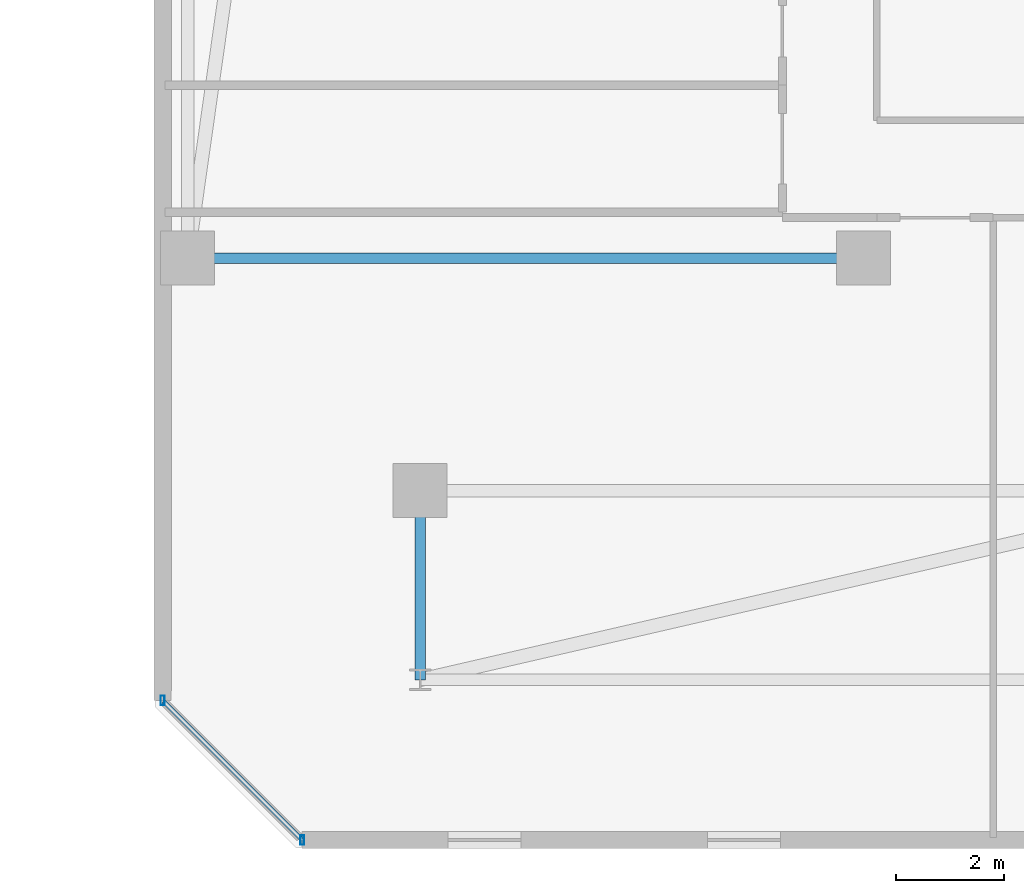
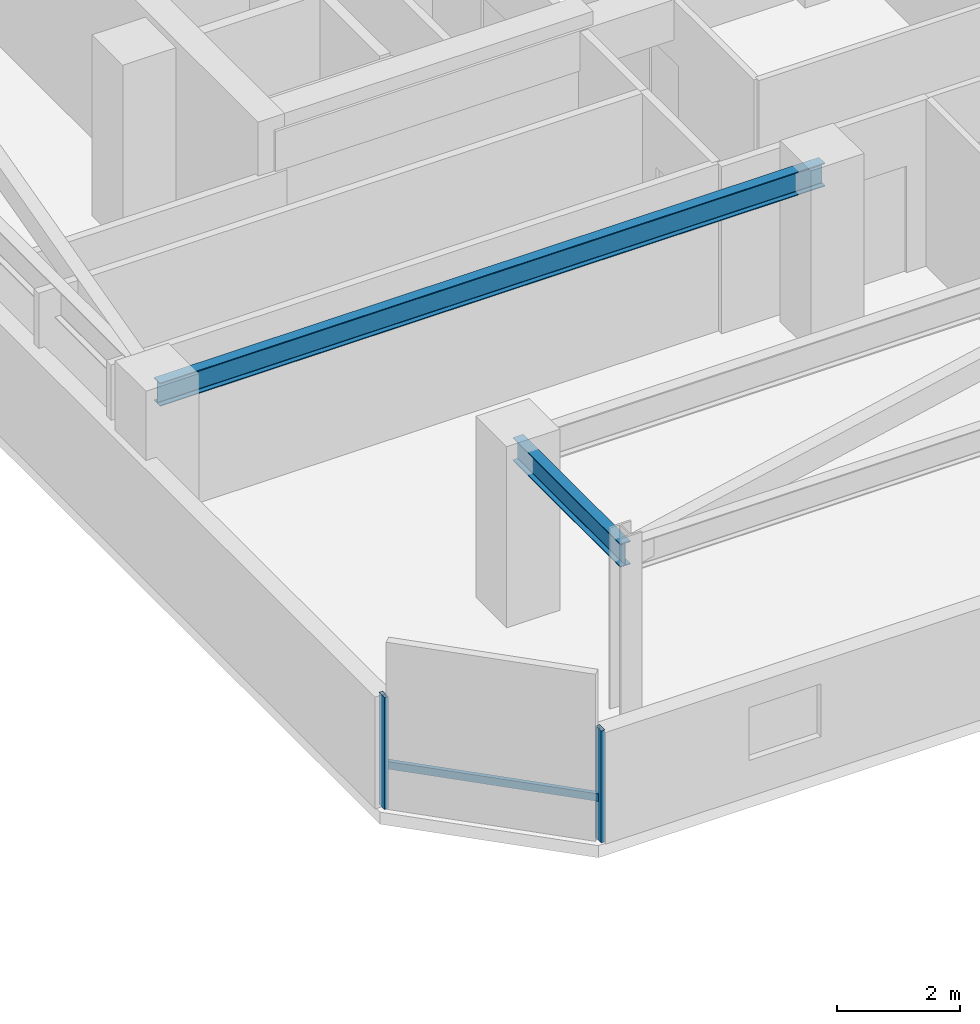
# One storey, part 10 of 34: 3 members, 2 beams, 1 element without a shape of its own.
"""IFC4 building model written with IfcOpenShell, lengths in metres."""

from ifc_helpers import new_model, si_unit, direction, frame, origin, origin_2d, place, context, subcontext, project, spatial, hollow_rectangle, i_section, extrude, material, material_profile, profile_set, type_object, element, aggregate, save


model = new_model("IFC4")

# Units and contexts
model_context = context("Model", 3, precision=1e-05, world=origin(), true_north=direction((0.0, 1.0)))
body_context = subcontext(model_context, "Body", "Model", "MODEL_VIEW")
ifc_project = project(units=[si_unit("LENGTHUNIT", "METRE"), si_unit("AREAUNIT", "SQUARE_METRE"), si_unit("VOLUMEUNIT", "CUBIC_METRE"), si_unit("PLANEANGLEUNIT", "RADIAN"), si_unit("MASSUNIT", "GRAM", prefix="KILO")], contexts=[model_context])

# Site, building, storey
site_placement = place(None, origin())
site = spatial("IfcSite", under=ifc_project, at=site_placement, CompositionType="ELEMENT")
building_placement = place(site_placement, origin())
building = spatial("IfcBuilding", under=site, at=building_placement, Name="Thornwick Lancets Civic Towers", CompositionType="ELEMENT")
storey_placement = place(building_placement, frame((0.0, 0.0, 251.10009765625)))
storey = spatial("IfcBuildingStorey", under=building, at=storey_placement, Name="L67", CompositionType="ELEMENT", Elevation=251.10009765625)

# Beams
ifc_material_1 = material(Name="Steel S355JR", Category="steel")
ifc_material_profile_1 = material_profile(ifc_material_1, i_section(OverallWidth=0.19189453125, OverallDepth=0.46337890625, WebThickness=0.010498046875, FlangeThickness=0.017578125, FilletRadius=0.01025390625, at=origin_2d()), Name="UKB 457x191x89")
ifc_profile_set_1 = profile_set([ifc_material_profile_1], Name="Steel S355JR")
beam_type = type_object("IfcBeamType", Name="BM_JOIST_457_89", PredefinedType="JOIST", material=ifc_profile_set_1)
beam_1_placement = place(storey_placement, frame((83.699951171875, 14.0, 3.108154296875), z_axis=(-1.0, 0.0, 0.0), x_axis=(0.0, -1.0, 0.0)))
element("IfcBeam", 1, at=beam_1_placement, inside=storey, type_object=beam_type, Name="BM-RADIN-L67-B07", PredefinedType="JOIST", context=body_context, shape_type="SweptSolid", body=[
    extrude(i_section(OverallWidth=0.19189453125, OverallDepth=0.46337890625, WebThickness=0.010498046875, FlangeThickness=0.017578125, FilletRadius=0.01025390625, at=origin_2d()), origin(), (0.0, 0.0, 1.0), 12.5),
])
beam_2_placement = place(storey_placement, frame((75.5, 9.699951171875, 3.108154296875), z_axis=(0.0, -1.0, 0.0), x_axis=(1.0, 0.0, 0.0)))
element("IfcBeam", 2, at=beam_2_placement, inside=storey, type_object=beam_type, Name="BM-RAD-L67-B12", PredefinedType="JOIST", context=body_context, shape_type="SweptSolid", body=[
    extrude(i_section(OverallWidth=0.19189453125, OverallDepth=0.46337890625, WebThickness=0.010498046875, FlangeThickness=0.017578125, FilletRadius=0.01025390625, at=origin_2d()), origin(), (0.0, 0.0, 1.0), 3.5),
])

# Curtain wall, members
ifc_material_2 = material(Name="High-zone chamfered-corner unitised glass curtain wall", Category="glass")
curtain_wall_type = type_object("IfcCurtainWallType", Name="CW_SYS_05", PredefinedType="NOTDEFINED", material=ifc_material_2)
curtain_wall_placement = place(storey_placement, origin())
curtain_wall = element("IfcCurtainWall", 3, at=curtain_wall_placement, inside=storey, type_object=curtain_wall_type, Name="L67 Curtain Wall CW-L67-B-E7", PredefinedType="NOTDEFINED")
ifc_material_3 = material(Name="Thermally broken bronze aluminium S355", Category="steel")
ifc_material_profile_2 = material_profile(ifc_material_3, hollow_rectangle(XDim=0.074951171875, YDim=0.179931640625, WallThickness=0.006103515625, at=origin_2d()), Name="RHS 180x75x6")
ifc_profile_set_2 = profile_set([ifc_material_profile_2], Name="Thermally broken bronze aluminium S355")
member_type_1 = type_object("IfcMemberType", Name="CW_MUL_180", PredefinedType="MULLION", material=ifc_profile_set_2)
member_1_placement = place(storey_placement, frame((70.7353515625, 5.818603515625, 0.0), z_axis=(0.0, 0.0, 1.0), x_axis=(1.0, 0.0, 0.0)))
member_1 = element("IfcMember", 4, at=member_1_placement, type_object=member_type_1, Name="CW-L67-B-E7 Mullion 0", PredefinedType="MULLION", context=body_context, shape_type="SweptSolid", body=[
    extrude(hollow_rectangle(XDim=0.074951171875, YDim=0.179931640625, WallThickness=0.006103515625, at=origin_2d()), origin(), (0.0, 0.0, 1.0), 2.219970703125),
])
member_2_placement = place(storey_placement, frame((73.318603515625, 3.2353515625, 0.0), z_axis=(0.0, 0.0, 1.0), x_axis=(1.0, 0.0, 0.0)))
member_2 = element("IfcMember", 5, at=member_2_placement, type_object=member_type_1, Name="CW-L67-B-E7 Mullion 1", PredefinedType="MULLION", context=body_context, shape_type="SweptSolid", body=[
    extrude(hollow_rectangle(XDim=0.074951171875, YDim=0.179931640625, WallThickness=0.006103515625, at=origin_2d()), origin(), (0.0, 0.0, 1.0), 2.219970703125),
])
ifc_material_profile_3 = material_profile(ifc_material_3, hollow_rectangle(XDim=0.074951171875, YDim=0.14990234375, WallThickness=0.0048828125, at=origin_2d()), Name="RHS 150x75x5")
ifc_profile_set_3 = profile_set([ifc_material_profile_3], Name="Thermally broken bronze aluminium S355")
member_type_2 = type_object("IfcMemberType", Name="CW_TRN_150", PredefinedType="USERDEFINED", material=ifc_profile_set_3)
member_3_placement = place(storey_placement, frame((70.74951171875, 5.804443359375, 0.849853515625), z_axis=(0.707106781187, -0.707106781187, 0.0), x_axis=(0.707106781187, 0.707106781187, 0.0)))
member_3 = element("IfcMember", 6, at=member_3_placement, type_object=member_type_2, Name="CW-L67-B-E7 Transom 0", ObjectType="TRANSOM", PredefinedType="USERDEFINED", context=body_context, shape_type="SweptSolid", body=[
    extrude(hollow_rectangle(XDim=0.074951171875, YDim=0.14990234375, WallThickness=0.0048828125, at=origin_2d()), origin(), (0.0, 0.0, 1.0), 3.61328125),
])
aggregate(curtain_wall, [member_1, member_2, member_3])

save(model, "model.ifc")
